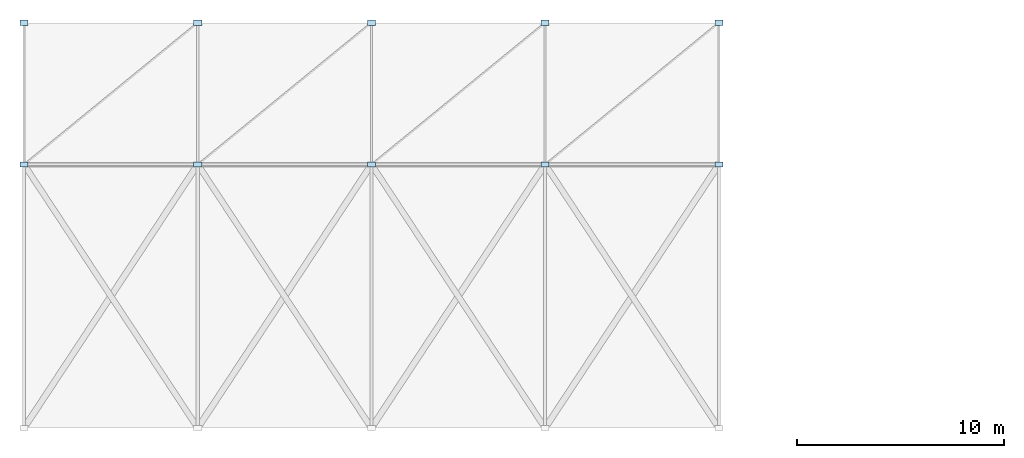
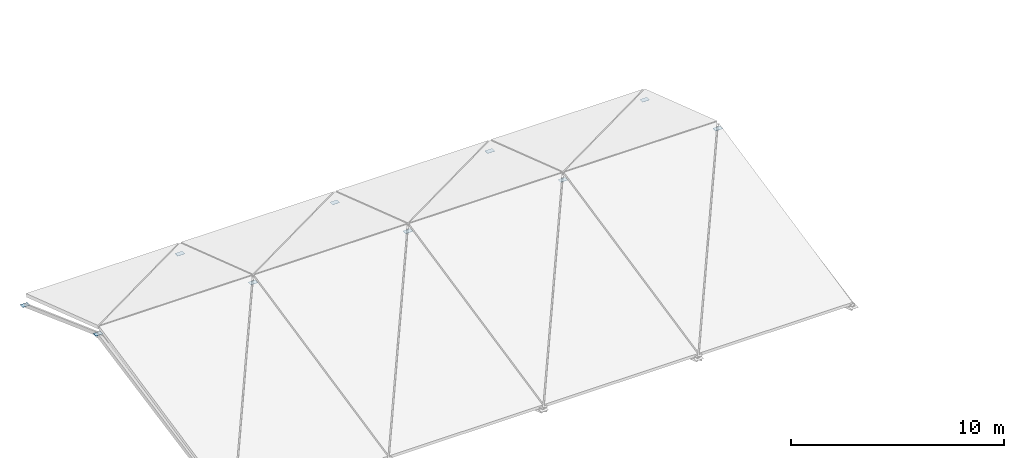
# One storey, part 8 of 10: 10 plates.
"""IFC4 building model written with IfcOpenShell, lengths in metres."""

from ifc_helpers import new_model, si_unit, direction, frame, origin, origin_2d, place, context, subcontext, project, spatial, rectangle, extrude, material, layer, layer_set, type_object, element, save


model = new_model("IFC4")

# Units and contexts
model_context = context("Model", 3, precision=1e-05, world=origin(), true_north=direction((0.0, 1.0)))
body_context = subcontext(model_context, "Body", "Model", "MODEL_VIEW")
ifc_project = project(units=[si_unit("LENGTHUNIT", "METRE"), si_unit("AREAUNIT", "SQUARE_METRE"), si_unit("VOLUMEUNIT", "CUBIC_METRE"), si_unit("PLANEANGLEUNIT", "RADIAN"), si_unit("MASSUNIT", "GRAM", prefix="KILO")], contexts=[model_context])

# Site, building, storey
site_placement = place(None, origin())
site = spatial("IfcSite", under=ifc_project, at=site_placement, CompositionType="ELEMENT")
building_placement = place(site_placement, origin())
building = spatial("IfcBuilding", under=site, at=building_placement, Name="Vanh Quang Courtyard School", CompositionType="ELEMENT")
storey_placement = place(building_placement, frame((0.0, 0.0, 25.800048828125)))
storey = spatial("IfcBuildingStorey", under=building, at=storey_placement, Name="ROOF", CompositionType="ELEMENT", Elevation=25.800048828125)

# Plates
ifc_material = material(Name="Structural steel EN 10025-2 S355J2", Category="steel")
ifc_layer = layer(ifc_material, 0.011962890625)
ifc_layer_set = layer_set([ifc_layer], Name="Structural steel EN 10025-2 S355J2")
plate_type = type_object("IfcPlateType", Name="PLT-GUS-390x260x12", PredefinedType="USERDEFINED", material=ifc_layer_set)
for number, where, z_axis, x_axis, name in (
    (1, (4.199951171875, 100.93994140625, -12.15625), (0.0, 0.0, 1.0), (1.0, 0.0, 0.0), "Plate PG-03 (ROOF)"),
    (2, (4.199951171875, 107.800048828125, -14.666015625), (0.0, 0.0, 1.0), (1.0, 0.0, 0.0), "Plate PG-03 (ROOF)"),
    (3, (12.60009765625, 100.93994140625, -12.15625), (0.0, 0.0, 1.0), (1.0, 0.0, 0.0), "Plate PG-03 (ROOF)"),
    (4, (12.60009765625, 107.800048828125, -14.666015625), (0.0, 0.0, 1.0), (1.0, 0.0, 0.0), "Plate PG-03 (ROOF)"),
    (5, (21.0, 100.93994140625, -12.15625), (0.0, 0.0, 1.0), (1.0, 0.0, 0.0), "Plate PG-03 (ROOF)"),
    (6, (21.0, 107.800048828125, -14.666015625), (0.0, 0.0, 1.0), (1.0, 0.0, 0.0), "Plate PG-03 (ROOF)"),
    (7, (29.39990234375, 100.93994140625, -12.15625), (0.0, 0.0, 1.0), (1.0, 0.0, 0.0), "Plate PG-03 (ROOF)"),
    (8, (29.39990234375, 107.800048828125, -14.666015625), (0.0, 0.0, 1.0), (1.0, 0.0, 0.0), "Plate PG-03 (ROOF)"),
    (9, (37.800048828125, 100.93994140625, -12.15625), (0.0, 0.0, 1.0), (1.0, 0.0, 0.0), "Plate PG-03 (ROOF)"),
    (10, (37.800048828125, 107.800048828125, -14.666015625), (0.0, 0.0, 1.0), (1.0, 0.0, 0.0), "Plate PG-03 (ROOF)"),
):
    element("IfcPlate", number, at=place(storey_placement, frame(where, z_axis=z_axis, x_axis=x_axis)), inside=storey, type_object=plate_type, Name=name, ObjectType="GUSSET_PLATE", PredefinedType="USERDEFINED", context=body_context, shape_type="SweptSolid", body=[
        extrude(rectangle(XDim=0.389892578125, YDim=0.260009765625, at=origin_2d()), origin(), (0.0, 0.0, 1.0), 0.011962890625),
    ])

save(model, "model.ifc")
